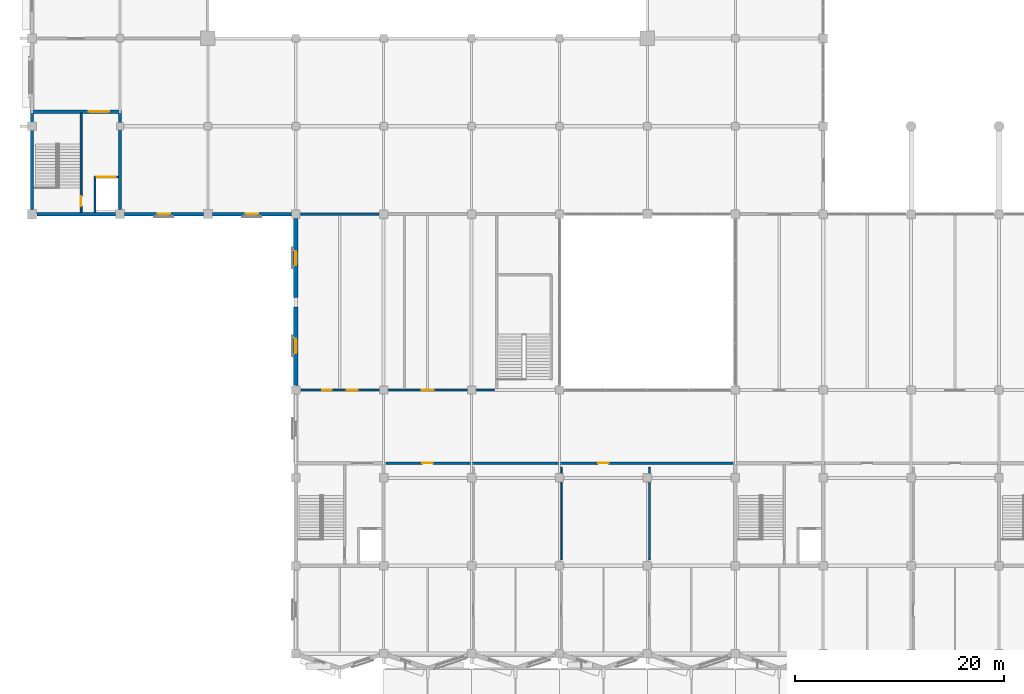
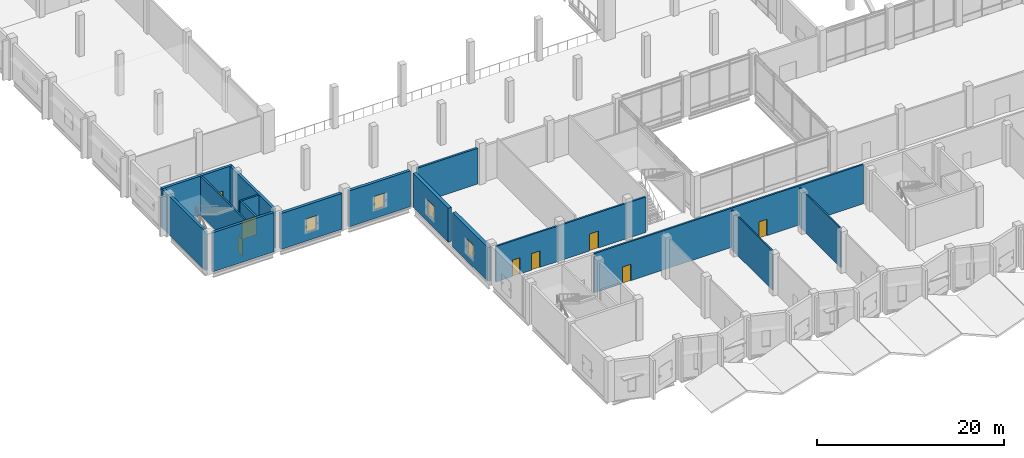
# One storey, part 48 of 72: 16 walls, 8 doors, 4 windows, 12 openings.
"""IFC4 building model written with IfcOpenShell, lengths in metres."""

import ifcopenshell
import ifcopenshell.guid

model = None  # the IFC model being written
_history = None  # IfcOwnerHistory: only IFC2X3 demands one
_inside = {}  # id of a spatial element -> (the spatial element, [elements in it])
_under = {}  # id of a project, library or spatial element -> (it, [spatial elements below it])
_declared = {}  # id of a project -> (the project, [libraries it declares])
_typed = {}  # id of a type object -> (the type object, [elements of that type])
_made_of = {}  # id of a material, layer set ... -> (it, [elements and type objects made of it])


def new_model(schema):
    """Start an empty IFC model of exactly this schema.

    Asked for "IFC4X3", IfcOpenShell would pick the latest addendum, in which some entities
    have other attributes; the version numbers below select the first issue.
    IFC2X3 requires an IfcOwnerHistory on every rooted entity: one is made here for all.
    """
    global model, _history
    if schema == "IFC4X3":
        model = ifcopenshell.file(schema_version=(4, 3, 0, 0))
    else:
        model = ifcopenshell.file(schema=schema)
    _inside.clear()
    _under.clear()
    _declared.clear()
    _typed.clear()
    _made_of.clear()
    _history = None
    if model.schema == "IFC2X3":
        org = make("IfcOrganization", Name="unknown")
        user = make(
            "IfcPersonAndOrganization",
            ThePerson=make("IfcPerson", FamilyName="unknown"),
            TheOrganization=org,
        )
        app = make(
            "IfcApplication",
            ApplicationDeveloper=org,
            Version="unknown",
            ApplicationFullName="unknown",
            ApplicationIdentifier="unknown",
        )
        _history = make(
            "IfcOwnerHistory",
            OwningUser=user,
            OwningApplication=app,
            ChangeAction="ADDED",
            CreationDate=0,
        )
    return model


def make(cls, **values):
    """One entity of the class cls with the attributes given. An attribute that is None is left unset."""
    return model.create_entity(
        cls, **{name: value for name, value in values.items() if value is not None}
    )


def rooted(cls, **values):
    """An entity with a GlobalId (a new one), such as an element, a storey or a relation."""
    return make(cls, GlobalId=ifcopenshell.guid.new(), OwnerHistory=_history, **values)


def si_unit(unit_type, name, prefix=None):
    """IfcSIUnit, for example si_unit("LENGTHUNIT", "METRE", prefix="MILLI")."""
    return make("IfcSIUnit", UnitType=unit_type, Prefix=prefix, Name=name)


def assignment(units):
    """IfcUnitAssignment: the units of a project."""
    return None if units is None else make("IfcUnitAssignment", Units=units)


def point(xyz):
    """IfcCartesianPoint."""
    return None if xyz is None else make("IfcCartesianPoint", Coordinates=xyz)


def direction(xyz):
    """IfcDirection."""
    return None if xyz is None else make("IfcDirection", DirectionRatios=xyz)


def frame(location, z_axis=None, x_axis=None):
    """IfcAxis2Placement3D, a coordinate frame: its origin and axes. An axis left out is left unset."""
    return make(
        "IfcAxis2Placement3D",
        Location=point(location),
        Axis=direction(z_axis),
        RefDirection=direction(x_axis),
    )


def frame_2d(location, x_axis=None):
    """IfcAxis2Placement2D, a coordinate frame in the plane: its origin and x axis."""
    return make(
        "IfcAxis2Placement2D", Location=point(location), RefDirection=direction(x_axis)
    )


def origin():
    """The frame at (0, 0, 0) with its axes left unset."""
    return frame((0.0, 0.0, 0.0))


def place(relative_to, where):
    """IfcLocalPlacement: puts the frame where relative to a parent placement (None: the world)."""
    return make(
        "IfcLocalPlacement", PlacementRelTo=relative_to, RelativePlacement=where
    )


def context(
    kind, dimensions, precision=None, world=None, true_north=None, identifier=None
):
    """IfcGeometricRepresentationContext, for example the 3D "Model" context."""
    return make(
        "IfcGeometricRepresentationContext",
        ContextIdentifier=identifier,
        ContextType=kind,
        CoordinateSpaceDimension=dimensions,
        Precision=precision,
        WorldCoordinateSystem=world,
        TrueNorth=true_north,
    )


def subcontext(parent, identifier, kind, view, scale=None):
    """IfcGeometricRepresentationSubContext, for example "Body" below "Model"."""
    return make(
        "IfcGeometricRepresentationSubContext",
        ContextIdentifier=identifier,
        ContextType=kind,
        ParentContext=parent,
        TargetScale=scale,
        TargetView=view,
    )


def project(units=None, contexts=None):
    """IfcProject with its units and contexts."""
    return rooted(
        "IfcProject",
        Name="project",
        RepresentationContexts=contexts,
        UnitsInContext=assignment(units),
    )


def spatial(cls, under=None, at=None, **own):
    """A site, building, storey or space (cls), placed at a placement, below another one or the project."""
    s = rooted(cls, ObjectPlacement=at, **own)
    if under is not None:
        _under.setdefault(under.id(), (under, []))[1].append(s)
    return s


def profile(cls, at=None, kind="AREA", **sizes):
    """A parametric profile (cls). Its sizes go by their IFC names, for example OverallWidth=200.0."""
    return make(cls, ProfileType=kind, Position=at, **sizes)


def rectangle(**sizes):
    """IfcRectangleProfileDef."""
    return profile("IfcRectangleProfileDef", **sizes)


def extrude(swept, where, along, depth):
    """IfcExtrudedAreaSolid: the profile swept, set in the frame where, extruded along a direction by depth."""
    return make(
        "IfcExtrudedAreaSolid",
        SweptArea=swept,
        Position=where,
        ExtrudedDirection=direction(along),
        Depth=depth,
    )


def shape(context_of_items, identifier, shape_type, items):
    """IfcShapeRepresentation: the items that make up one representation, for example the "Body"."""
    return make(
        "IfcShapeRepresentation",
        ContextOfItems=context_of_items,
        RepresentationIdentifier=identifier,
        RepresentationType=shape_type,
        Items=items,
    )


def material(Name=None, Category=None):
    """IfcMaterial."""
    return make("IfcMaterial", Name=Name, Category=Category)


def layer(
    of_material, thickness, ventilated=None, Name=None, Category=None, Priority=None
):
    """IfcMaterialLayer: one layer of a wall or slab, of a material (None: an air gap)."""
    return make(
        "IfcMaterialLayer",
        Material=of_material,
        LayerThickness=thickness,
        IsVentilated=ventilated,
        Name=Name,
        Category=Category,
        Priority=Priority,
    )


def layer_set(layers, Name=None):
    """IfcMaterialLayerSet."""
    return make("IfcMaterialLayerSet", MaterialLayers=layers, LayerSetName=Name)


def made_of(thing, what):
    """Note that an element or type object is made of a material, layer set ...; save() writes the relation."""
    if what is not None:
        _made_of.setdefault(what.id(), (what, []))[1].append(thing)
    return thing


def type_object(cls, material=None, **own):
    """A type object (cls), such as IfcWallType, which elements share."""
    return made_of(rooted(cls, **own), material)


def element(
    cls,
    number,
    at=None,
    inside=None,
    cuts=None,
    type_object=None,
    material=None,
    context=None,
    identifier="Body",
    shape_type=None,
    held_by="IfcProductDefinitionShape",
    body=None,
    shapes=None,
    **own,
):
    """One element of the class cls, such as IfcWall. Its Tag is "e" and its number.

    at: its placement. inside: the storey or other place that contains it. cuts: it is an
    opening in that element (IfcRelVoidsElement). A single representation is given by context,
    identifier, shape_type and body (its items); several are given by shapes. held_by: the class
    of the entity that holds the representations. save() writes the other relations.
    """
    e = rooted(cls, Tag="e%d" % number, ObjectPlacement=at, **own)
    if body is not None:
        shapes = [shape(context, identifier, shape_type, body)]
    if shapes is not None:
        e.Representation = make(held_by, Representations=shapes)
    if inside is not None:
        _inside.setdefault(inside.id(), (inside, []))[1].append(e)
    if cuts is not None:
        rooted(
            "IfcRelVoidsElement", RelatingBuildingElement=cuts, RelatedOpeningElement=e
        )
    if type_object is not None:
        _typed.setdefault(type_object.id(), (type_object, []))[1].append(e)
    return made_of(e, material)


def fill(opening, filler):
    """IfcRelFillsElement: the door or window that sits in an opening."""
    return rooted(
        "IfcRelFillsElement",
        RelatingOpeningElement=opening,
        RelatedBuildingElement=filler,
    )


def aggregate(whole, parts):
    """IfcRelAggregates: a whole, such as a stair, and the parts it consists of."""
    return rooted("IfcRelAggregates", RelatingObject=whole, RelatedObjects=parts)


def save(model, path):
    """Write the relations noted so far, then the file.

    IfcRelAggregates (storeys below a building ...), IfcRelContainedInSpatialStructure (elements
    in a storey), IfcRelDefinesByType, IfcRelAssociatesMaterial and IfcRelDeclares: one each for
    every whole, place, type object, material and project.
    """
    for whole, parts in _under.values():
        aggregate(whole, parts)
    for where, things in _inside.values():
        rooted(
            "IfcRelContainedInSpatialStructure",
            RelatedElements=things,
            RelatingStructure=where,
        )
    for kind, things in _typed.values():
        rooted("IfcRelDefinesByType", RelatedObjects=things, RelatingType=kind)
    for what, things in _made_of.values():
        rooted("IfcRelAssociatesMaterial", RelatedObjects=things, RelatingMaterial=what)
    for by, libraries in _declared.values():
        rooted("IfcRelDeclares", RelatingContext=by, RelatedDefinitions=libraries)
    model.write(path)


model = new_model("IFC4")

# Units and contexts
model_context = context("Model", 3, precision=1e-05, world=origin(), true_north=direction((0.0, 1.0)))
body_context = subcontext(model_context, "Body", "Model", "MODEL_VIEW")
ifc_project = project(units=[si_unit("LENGTHUNIT", "METRE"), si_unit("AREAUNIT", "SQUARE_METRE"), si_unit("VOLUMEUNIT", "CUBIC_METRE"), si_unit("PLANEANGLEUNIT", "RADIAN"), si_unit("MASSUNIT", "GRAM", prefix="KILO")], contexts=[model_context])

# Site, building, storey
site_placement = place(None, origin())
site = spatial("IfcSite", under=ifc_project, at=site_placement, CompositionType="ELEMENT")
building_placement = place(site_placement, origin())
building = spatial("IfcBuilding", under=site, at=building_placement, Name="Qawsi Khor Wholesale Market", CompositionType="ELEMENT")
storey_placement = place(building_placement, frame((0.0, 0.0, 6.0)))
storey = spatial("IfcBuildingStorey", under=building, at=storey_placement, Name="L01", CompositionType="ELEMENT", Elevation=6.0)

# Wall, openings, doors
ifc_material_1 = material(Name="Gypsum Fireboard on Steel Stud", Category="steel")
ifc_layer_1 = layer(ifc_material_1, 0.2099609375, Name="Gypsum Fireboard on Steel Stud")
ifc_layer_set_1 = layer_set([ifc_layer_1], Name="Gypsum Fireboard on Steel Stud")
wall_type_1 = type_object("IfcWallType", Name="Corridor Fire Partition Wall 210", PredefinedType="PARTITIONING", material=ifc_layer_set_1)
wall_1_placement = place(storey_placement, frame((33.800048828125, 18.199951171875, 0.0), z_axis=(0.0, 0.0, 1.0), x_axis=(1.0, 0.0, 0.0)))
wall_1 = element("IfcWall", 1, at=wall_1_placement, inside=storey, type_object=wall_type_1, Name="PW-L01-042", PredefinedType="PARTITIONING", context=body_context, shape_type="SweptSolid", body=[
    extrude(rectangle(XDim=33.199951171875, YDim=0.2099609375, at=frame_2d((16.60009765625, 0.0))), origin(), (0.0, 0.0, 1.0), 5.1201171875),
])
opening_1_placement = place(wall_1_placement, frame((3.5, 0.0, 0.0)))
opening_1 = element("IfcOpeningElement", 2, at=opening_1_placement, cuts=wall_1, Name="Opening ID-06", PredefinedType="OPENING", context=body_context, shape_type="SweptSolid", body=[
    extrude(rectangle(XDim=1.0, YDim=2.14990234375, at=frame_2d((0.5, 1.074951171875))), frame((0.0, 0.114990234375, 0.0), z_axis=(0.0, -1.0, 0.0), x_axis=(1.0, 0.0, 0.0)), (0.0, 0.0, 1.0), 0.22998046875),
])
opening_2_placement = place(wall_1_placement, frame((20.300048828125, 0.0, 0.0)))
opening_2 = element("IfcOpeningElement", 3, at=opening_2_placement, cuts=wall_1, Name="Opening ID-06", PredefinedType="OPENING", context=body_context, shape_type="SweptSolid", body=[
    extrude(rectangle(XDim=1.0, YDim=2.14990234375, at=frame_2d((0.5, 1.074951171875))), frame((0.0, 0.114990234375, 0.0), z_axis=(0.0, -1.0, 0.0), x_axis=(1.0, 0.0, 0.0)), (0.0, 0.0, 1.0), 0.22998046875),
])
ifc_material_2 = material(Name="Hardwood Timber Veneer", Category="wood")
door_type_1 = type_object("IfcDoorType", Name="Traders Office Single Door 1000x2150", OperationType="NOTDEFINED", PredefinedType="DOOR", material=ifc_material_2)
door_1_placement = place(opening_1_placement, origin())
door_1 = element("IfcDoor", 4, at=door_1_placement, inside=storey, type_object=door_type_1, Name="Traders Office Single Door 1000x2150 L01-048", OperationType="SINGLE_SWING_LEFT", OverallHeight=2.14990234375, OverallWidth=1.0, PredefinedType="DOOR", context=body_context, shape_type="SweptSolid", body=[
    extrude(rectangle(XDim=1.0, YDim=2.14990234375, at=frame_2d((0.5, 1.074951171875))), frame((0.0, 0.02490234375, 0.0), z_axis=(0.0, -1.0, 0.0), x_axis=(1.0, 0.0, 0.0)), (0.0, 0.0, 1.0), 0.050048828125),
])
fill(opening_1, door_1)
door_2_placement = place(opening_2_placement, origin())
door_2 = element("IfcDoor", 5, at=door_2_placement, inside=storey, type_object=door_type_1, Name="Traders Office Single Door 1000x2150 L01-049", OperationType="SINGLE_SWING_RIGHT", OverallHeight=2.14990234375, OverallWidth=1.0, PredefinedType="DOOR", context=body_context, shape_type="SweptSolid", body=[
    extrude(rectangle(XDim=1.0, YDim=2.14990234375, at=frame_2d((0.5, 1.074951171875))), frame((0.0, 0.02490234375, 0.0), z_axis=(0.0, -1.0, 0.0), x_axis=(1.0, 0.0, 0.0)), (0.0, 0.0, 1.0), 0.050048828125),
])
fill(opening_2, door_2)

wall_2_placement = place(storey_placement, frame((25.699951171875, 25.199951171875, 0.0), z_axis=(0.0, 0.0, 1.0), x_axis=(1.0, 0.0, 0.0)))
wall_2 = element("IfcWall", 6, at=wall_2_placement, inside=storey, type_object=wall_type_1, Name="PW-L01-065", PredefinedType="PARTITIONING", context=body_context, shape_type="SweptSolid", body=[
    extrude(rectangle(XDim=18.5, YDim=0.2099609375, at=frame_2d((9.25, 0.0))), origin(), (0.0, 0.0, 1.0), 4.6298828125),
])
opening_3_placement = place(wall_2_placement, frame((2.0400390625, 0.0, 0.0)))
opening_3 = element("IfcOpeningElement", 7, at=opening_3_placement, cuts=wall_2, Name="Opening ID-11", PredefinedType="OPENING", context=body_context, shape_type="SweptSolid", body=[
    extrude(rectangle(XDim=0.919921875, YDim=2.139892578125, at=frame_2d((0.4599609375, 1.06982421875))), frame((0.0, 0.114990234375, 0.0), z_axis=(0.0, -1.0, 0.0), x_axis=(1.0, 0.0, 0.0)), (0.0, 0.0, 1.0), 0.22998046875),
])
opening_4_placement = place(wall_2_placement, frame((4.385009765625, 0.0, 0.0)))
opening_4 = element("IfcOpeningElement", 8, at=opening_4_placement, cuts=wall_2, Name="Opening ID-12", PredefinedType="OPENING", context=body_context, shape_type="SweptSolid", body=[
    extrude(rectangle(XDim=1.030029296875, YDim=2.14990234375, at=frame_2d((0.51513671875, 1.074951171875))), frame((0.0, 0.114990234375, 0.0), z_axis=(0.0, -1.0, 0.0), x_axis=(1.0, 0.0, 0.0)), (0.0, 0.0, 1.0), 0.22998046875),
])
opening_5_placement = place(wall_2_placement, frame((11.530029296875, 0.0, 0.0)))
opening_5 = element("IfcOpeningElement", 9, at=opening_5_placement, cuts=wall_2, Name="Opening ID-14", PredefinedType="OPENING", context=body_context, shape_type="SweptSolid", body=[
    extrude(rectangle(XDim=1.139892578125, YDim=2.219970703125, at=frame_2d((0.56982421875, 1.10986328125))), frame((0.0, 0.114990234375, 0.0), z_axis=(0.0, -1.0, 0.0), x_axis=(1.0, 0.0, 0.0)), (0.0, 0.0, 1.0), 0.22998046875),
])
ifc_material_3 = material(Name="High-Pressure Laminate", Category="steel")
door_type_2 = type_object("IfcDoorType", Name="Accessible WC Door 1030x2150", OperationType="NOTDEFINED", PredefinedType="DOOR", material=ifc_material_3)
door_3_placement = place(opening_4_placement, origin())
door_3 = element("IfcDoor", 10, at=door_3_placement, inside=storey, type_object=door_type_2, Name="Accessible WC Door 1030x2150 L01-068", OperationType="SINGLE_SWING_RIGHT", OverallHeight=2.14990234375, OverallWidth=1.030029296875, PredefinedType="DOOR", context=body_context, shape_type="SweptSolid", body=[
    extrude(rectangle(XDim=1.030029296875, YDim=2.14990234375, at=frame_2d((0.51513671875, 1.074951171875))), frame((0.0, 0.02490234375, 0.0), z_axis=(0.0, -1.0, 0.0), x_axis=(1.0, 0.0, 0.0)), (0.0, 0.0, 1.0), 0.050048828125),
])
fill(opening_4, door_3)
ifc_material_4 = material(Name="Carved Oak Timber", Category="wood")
door_type_3 = type_object("IfcDoorType", Name="Prayer & Majlis Timber Door 1140x2220", OperationType="NOTDEFINED", PredefinedType="DOOR", material=ifc_material_4)
door_4_placement = place(opening_5_placement, origin())
door_4 = element("IfcDoor", 11, at=door_4_placement, inside=storey, type_object=door_type_3, Name="Prayer & Majlis Timber Door 1140x2220 L01-069", OperationType="SINGLE_SWING_LEFT", OverallHeight=2.219970703125, OverallWidth=1.139892578125, PredefinedType="DOOR", context=body_context, shape_type="SweptSolid", body=[
    extrude(rectangle(XDim=1.139892578125, YDim=2.219970703125, at=frame_2d((0.56982421875, 1.10986328125))), frame((0.0, 0.02490234375, 0.0), z_axis=(0.0, -1.0, 0.0), x_axis=(1.0, 0.0, 0.0)), (0.0, 0.0, 1.0), 0.050048828125),
])
fill(opening_5, door_4)
door_type_4 = type_object("IfcDoorType", Name="Public Toilet Entrance Door 920x2140", OperationType="NOTDEFINED", PredefinedType="DOOR", material=ifc_material_3)
door_5_placement = place(opening_3_placement, origin())
door_5 = element("IfcDoor", 12, at=door_5_placement, inside=storey, type_object=door_type_4, Name="Public Toilet Entrance Door 920x2140 L01-067", OperationType="SINGLE_SWING_LEFT", OverallHeight=2.139892578125, OverallWidth=0.919921875, PredefinedType="DOOR", context=body_context, shape_type="SweptSolid", body=[
    extrude(rectangle(XDim=0.919921875, YDim=2.139892578125, at=frame_2d((0.4599609375, 1.06982421875))), frame((0.0, 0.02490234375, 0.0), z_axis=(0.0, -1.0, 0.0), x_axis=(1.0, 0.0, 0.0)), (0.0, 0.0, 1.0), 0.050048828125),
])
fill(opening_3, door_5)

# Walls
ifc_material_5 = material(Name="Concrete Blockwork & Plaster", Category="masonry")
ifc_layer_2 = layer(ifc_material_5, 0.25, Name="Concrete Blockwork & Plaster")
ifc_layer_set_2 = layer_set([ifc_layer_2], Name="Concrete Blockwork & Plaster")
wall_type_2 = type_object("IfcWallType", Name="Fire Compartment Masonry Wall 250", PredefinedType="SOLIDWALL", material=ifc_layer_set_2)
wall_3_placement = place(storey_placement, frame((25.64990234375, 42.0, 0.0), z_axis=(0.0, 0.0, 1.0), x_axis=(1.0, 0.0, 0.0)))
element("IfcWall", 13, at=wall_3_placement, inside=storey, type_object=wall_type_2, Name="Grid F fire compartment wall L01-03", PredefinedType="SOLIDWALL", context=body_context, shape_type="SweptSolid", body=[
    extrude(rectangle(XDim=7.5, YDim=0.25, at=frame_2d((3.75, 0.0))), origin(), (0.0, 0.0, 1.0), 4.669921875),
])
ifc_material_6 = material(Name="Concrete C40/50", Category="concrete")
ifc_layer_3 = layer(ifc_material_6, 0.320068359375, Name="Concrete C40/50")
ifc_layer_set_3 = layer_set([ifc_layer_3], Name="Concrete C40/50")
wall_type_3 = type_object("IfcWallType", Name="Hall Lateral Shear Wall RC 320 C40/50", PredefinedType="SHEAR", material=ifc_layer_set_3)
wall_4_placement = place(storey_placement, frame((7.969970703125, 42.0, 0.0), z_axis=(0.0, 0.0, 1.0), x_axis=(-1.0, 0.0, 0.0)))
element("IfcWall", 14, at=wall_4_placement, inside=storey, type_object=wall_type_3, Name="Core C07 south shear wall L01", PredefinedType="SHEAR", context=body_context, shape_type="SweptSolid", body=[
    extrude(rectangle(XDim=7.514892578125, YDim=0.320068359375, at=frame_2d((3.75732421875, 0.0))), origin(), (0.0, 0.0, 1.0), 5.1201171875),
])
wall_5_placement = place(storey_placement, frame((0.0, 42.455078125, 0.0), z_axis=(0.0, 0.0, 1.0), x_axis=(0.0, 1.0, 0.0)))
element("IfcWall", 15, at=wall_5_placement, inside=storey, type_object=wall_type_3, Name="Core C07 west shear wall L01", PredefinedType="SHEAR", context=body_context, shape_type="SweptSolid", body=[
    extrude(rectangle(XDim=9.184814453125, YDim=0.320068359375, at=frame_2d((4.59228515625, 0.0))), origin(), (0.0, 0.0, 1.0), 5.1201171875),
])

# Wall, opening, door
wall_6_placement = place(storey_placement, frame((-0.159912109375, 51.800048828125, 0.0), z_axis=(0.0, 0.0, 1.0), x_axis=(1.0, 0.0, 0.0)))
wall_6 = element("IfcWall", 16, at=wall_6_placement, inside=storey, type_object=wall_type_3, Name="Core C07 north shear wall L01", PredefinedType="SHEAR", context=body_context, shape_type="SweptSolid", body=[
    extrude(rectangle(XDim=8.719970703125, YDim=0.320068359375, at=frame_2d((4.35986328125, 0.0))), origin(), (0.0, 0.0, 1.0), 5.1201171875),
])
opening_6_placement = place(wall_6_placement, frame((5.580078125, 0.0, 0.0)))
opening_6 = element("IfcOpeningElement", 17, at=opening_6_placement, cuts=wall_6, Name="Opening ID-01", PredefinedType="OPENING", context=body_context, shape_type="SweptSolid", body=[
    extrude(rectangle(XDim=1.9599609375, YDim=2.199951171875, at=frame_2d((0.97998046875, 1.10009765625))), frame((0.0, 0.169921875, 0.0), z_axis=(0.0, -1.0, 0.0), x_axis=(1.0, 0.0, 0.0)), (0.0, 0.0, 1.0), 0.340087890625),
])
ifc_material_7 = material(Name="Steel Fire Door", Category="steel")
door_type_5 = type_object("IfcDoorType", Name="Stair & Core Fire Door 1960x2200 FD90S", OperationType="NOTDEFINED", PredefinedType="DOOR", material=ifc_material_7)
door_6_placement = place(opening_6_placement, origin())
door_6 = element("IfcDoor", 18, at=door_6_placement, inside=storey, type_object=door_type_5, Name="Core C07 fire door L01", OperationType="DOUBLE_DOOR_SINGLE_SWING", OverallHeight=2.199951171875, OverallWidth=1.9599609375, PredefinedType="DOOR", context=body_context, shape_type="SweptSolid", body=[
    extrude(rectangle(XDim=1.9599609375, YDim=2.199951171875, at=frame_2d((0.97998046875, 1.10009765625))), frame((0.0, 0.02490234375, 0.0), z_axis=(0.0, -1.0, 0.0), x_axis=(1.0, 0.0, 0.0)), (0.0, 0.0, 1.0), 0.050048828125),
])
fill(opening_6, door_6)

# Walls
wall_7_placement = place(storey_placement, frame((8.39990234375, 51.639892578125, 0.0), z_axis=(0.0, 0.0, 1.0), x_axis=(0.0, -1.0, 0.0)))
element("IfcWall", 19, at=wall_7_placement, inside=storey, type_object=wall_type_3, Name="Core C07 east shear wall L01", PredefinedType="SHEAR", context=body_context, shape_type="SweptSolid", body=[
    extrude(rectangle(XDim=9.2099609375, YDim=0.320068359375, at=frame_2d((4.60498046875, 0.0))), origin(), (0.0, 0.0, 1.0), 5.1201171875),
])
ifc_layer_4 = layer(ifc_material_6, 0.219970703125, Name="Concrete C40/50")
ifc_layer_set_4 = layer_set([ifc_layer_4], Name="Concrete C40/50")
wall_type_4 = type_object("IfcWallType", Name="Lift & Stair Shaft Wall RC 220", PredefinedType="SOLIDWALL", material=ifc_layer_set_4)
wall_8_placement = place(storey_placement, frame((6.010009765625, 42.159912109375, 0.0), z_axis=(0.0, 0.0, 1.0), x_axis=(0.0, 1.0, 0.0)))
element("IfcWall", 20, at=wall_8_placement, inside=storey, type_object=wall_type_4, Name="Lift GL-01 shaft wall W L01", PredefinedType="SOLIDWALL", context=body_context, shape_type="SweptSolid", body=[
    extrude(rectangle(XDim=3.39013671875, YDim=0.219970703125, at=frame_2d((1.695068359375, 0.0))), origin(), (0.0, 0.0, 1.0), 5.1201171875),
])

# Wall, opening, door
wall_9_placement = place(storey_placement, frame((5.89990234375, 45.550048828125, 0.0), z_axis=(0.0, 0.0, 1.0), x_axis=(1.0, 0.0, 0.0)))
wall_9 = element("IfcWall", 21, at=wall_9_placement, inside=storey, type_object=wall_type_4, Name="Lift GL-01 shaft wall N L01", PredefinedType="SOLIDWALL", context=body_context, shape_type="SweptSolid", body=[
    extrude(rectangle(XDim=2.340087890625, YDim=0.219970703125, at=frame_2d((1.169921875, 0.0))), origin(), (0.0, 0.0, 1.0), 5.1201171875),
])
opening_7_placement = place(wall_9_placement, frame((0.260009765625, 0.0, 0.0)))
opening_7 = element("IfcOpeningElement", 22, at=opening_7_placement, cuts=wall_9, Name="Opening LD-G180", PredefinedType="OPENING", context=body_context, shape_type="SweptSolid", body=[
    extrude(rectangle(XDim=1.820068359375, YDim=2.39990234375, at=frame_2d((0.91015625, 1.199951171875))), frame((0.0, 0.119873046875, 0.0), z_axis=(0.0, -1.0, 0.0), x_axis=(1.0, 0.0, 0.0)), (0.0, 0.0, 1.0), 0.239990234375),
])
ifc_material_8 = material(Name="Heavy-Duty Stainless Steel", Category="steel")
door_type_6 = type_object("IfcDoorType", Name="Goods Lift Landing Sliding Door 1820x2400 FD90S", OperationType="NOTDEFINED", PredefinedType="DOOR", material=ifc_material_8)
door_7_placement = place(opening_7_placement, origin())
door_7 = element("IfcDoor", 23, at=door_7_placement, inside=storey, type_object=door_type_6, Name="Lift GL-01 landing door L01", OperationType="SLIDING_TO_RIGHT", OverallHeight=2.39990234375, OverallWidth=1.820068359375, PredefinedType="DOOR", context=body_context, shape_type="SweptSolid", body=[
    extrude(rectangle(XDim=1.820068359375, YDim=2.39990234375, at=frame_2d((0.91015625, 1.199951171875))), frame((0.0, 0.02490234375, 0.0), z_axis=(0.0, -1.0, 0.0), x_axis=(1.0, 0.0, 0.0)), (0.0, 0.0, 1.0), 0.050048828125),
])
fill(opening_7, door_7)

# Walls
ifc_material_9 = material(Name="Gypsum Board on Metal Stud", Category="gypsum")
ifc_layer_5 = layer(ifc_material_9, 0.14990234375, Name="Gypsum Board on Metal Stud")
ifc_layer_set_5 = layer_set([ifc_layer_5], Name="Gypsum Board on Metal Stud")
wall_type_5 = type_object("IfcWallType", Name="Office Partition Wall 150", PredefinedType="PARTITIONING", material=ifc_layer_set_5)
for number, where, z_axis, x_axis, name in (
    (24, (50.60009765625, 9.0, 0.0), (0.0, 0.0, 1.0), (0.0, 1.0, 0.0), "PW-L01-046"),
    (25, (59.0, 9.0, 0.0), (0.0, 0.0, 1.0), (0.0, 1.0, 0.0), "PW-L01-048"),
):
    element("IfcWall", number, at=place(storey_placement, frame(where, z_axis=z_axis, x_axis=x_axis)), inside=storey, type_object=wall_type_5, Name=name, PredefinedType="PARTITIONING", context=body_context, shape_type="SweptSolid", body=[
        extrude(rectangle(XDim=8.800048828125, YDim=0.14990234375, at=frame_2d((4.39990234375, 0.0))), origin(), (0.0, 0.0, 1.0), 5.1201171875),
    ])

# Wall, opening, window
ifc_layer_6 = layer(ifc_material_6, 0.429931640625, Name="Concrete C40/50")
ifc_layer_set_6 = layer_set([ifc_layer_6], Name="Concrete C40/50")
wall_type_6 = type_object("IfcWallType", Name="Sculpted Ribbed Concrete Facade Wall 430", PredefinedType="SOLIDWALL", material=ifc_layer_set_6)
wall_10_placement = place(storey_placement, frame((25.199951171875, 25.60498046875, 0.0), z_axis=(0.0, 0.0, 1.0), x_axis=(0.0, 1.0, 0.0)))
wall_10 = element("IfcWall", 26, at=wall_10_placement, inside=storey, type_object=wall_type_6, Name="EW-L01-SWW-3", PredefinedType="SOLIDWALL", context=body_context, shape_type="SweptSolid", body=[
    extrude(rectangle(XDim=7.544921875, YDim=0.429931640625, at=frame_2d((3.7724609375, 0.0))), origin(), (0.0, 0.0, 1.0), 4.429931640625),
])
opening_8_placement = place(wall_10_placement, frame((3.1201171875, 0.0, 0.949951171875)))
opening_8 = element("IfcOpeningElement", 27, at=opening_8_placement, cuts=wall_10, Name="Opening W-08", PredefinedType="OPENING", context=body_context, shape_type="SweptSolid", body=[
    extrude(rectangle(XDim=1.35009765625, YDim=1.949951171875, at=frame_2d((0.675048828125, 0.97509765625))), frame((0.0, 0.224853515625, 0.0), z_axis=(0.0, -1.0, 0.0), x_axis=(1.0, 0.0, 0.0)), (0.0, 0.0, 1.0), 0.449951171875),
])
ifc_material_10 = material(Name="Thermally Broken Aluminium & Low-E Glass", Category="aluminium")
window_type_1 = type_object("IfcWindowType", Name="Win W-08 Prayer & Majlis Screened 1350x1950", PartitioningType="SINGLE_PANEL", PredefinedType="WINDOW", material=ifc_material_10)
window_1_placement = place(opening_8_placement, origin())
window_1 = element("IfcWindow", 28, at=window_1_placement, inside=storey, type_object=window_type_1, Name="Win W-08 Prayer & Majlis Screened 1350x1950 113", OverallHeight=1.949951171875, OverallWidth=1.35009765625, PartitioningType="SINGLE_PANEL", PredefinedType="WINDOW", context=body_context, shape_type="SweptSolid", body=[
    extrude(rectangle(XDim=1.35009765625, YDim=1.949951171875, at=frame_2d((0.675048828125, 0.97509765625))), frame((0.0, 0.030029296875, 0.0), z_axis=(0.0, -1.0, 0.0), x_axis=(1.0, 0.0, 0.0)), (0.0, 0.0, 1.0), 0.06005859375),
])
fill(opening_8, window_1)

wall_11_placement = place(storey_placement, frame((25.199951171875, 34.050048828125, 0.0), z_axis=(0.0, 0.0, 1.0), x_axis=(0.0, 1.0, 0.0)))
wall_11 = element("IfcWall", 29, at=wall_11_placement, inside=storey, type_object=wall_type_6, Name="EW-L01-SWW-4", PredefinedType="SOLIDWALL", context=body_context, shape_type="SweptSolid", body=[
    extrude(rectangle(XDim=7.544921875, YDim=0.429931640625, at=frame_2d((3.7724609375, 0.0))), origin(), (0.0, 0.0, 1.0), 4.429931640625),
])
opening_9_placement = place(wall_11_placement, frame((3.074951171875, 0.0, 0.949951171875)))
opening_9 = element("IfcOpeningElement", 30, at=opening_9_placement, cuts=wall_11, Name="Opening W-08", PredefinedType="OPENING", context=body_context, shape_type="SweptSolid", body=[
    extrude(rectangle(XDim=1.35009765625, YDim=1.949951171875, at=frame_2d((0.675048828125, 0.97509765625))), frame((0.0, 0.224853515625, 0.0), z_axis=(0.0, -1.0, 0.0), x_axis=(1.0, 0.0, 0.0)), (0.0, 0.0, 1.0), 0.449951171875),
])
window_2_placement = place(opening_9_placement, origin())
window_2 = element("IfcWindow", 31, at=window_2_placement, inside=storey, type_object=window_type_1, Name="Win W-08 Prayer & Majlis Screened 1350x1950 114", OverallHeight=1.949951171875, OverallWidth=1.35009765625, PartitioningType="SINGLE_PANEL", PredefinedType="WINDOW", context=body_context, shape_type="SweptSolid", body=[
    extrude(rectangle(XDim=1.35009765625, YDim=1.949951171875, at=frame_2d((0.675048828125, 0.97509765625))), frame((0.0, 0.030029296875, 0.0), z_axis=(0.0, -1.0, 0.0), x_axis=(1.0, 0.0, 0.0)), (0.0, 0.0, 1.0), 0.06005859375),
])
fill(opening_9, window_2)

# Wall, opening, door
ifc_layer_7 = layer(ifc_material_6, 0.18994140625, Name="Concrete C40/50")
ifc_layer_set_7 = layer_set([ifc_layer_7], Name="Concrete C40/50")
wall_type_7 = type_object("IfcWallType", Name="Stairwell Enclosure Wall RC 190", PredefinedType="SOLIDWALL", material=ifc_layer_set_7)
wall_12_placement = place(storey_placement, frame((4.679931640625, 42.159912109375, 0.0), z_axis=(0.0, 0.0, 1.0), x_axis=(0.0, 1.0, 0.0)))
wall_12 = element("IfcWall", 32, at=wall_12_placement, inside=storey, type_object=wall_type_7, Name="Core C07 stairwell enclosure wall L01", PredefinedType="SOLIDWALL", context=body_context, shape_type="SweptSolid", body=[
    extrude(rectangle(XDim=9.47998046875, YDim=0.18994140625, at=frame_2d((4.739990234375, 0.0))), origin(), (0.0, 0.0, 1.0), 5.1201171875),
])
opening_10_placement = place(wall_12_placement, frame((0.580078125, 0.0, 0.0)))
opening_10 = element("IfcOpeningElement", 33, at=opening_10_placement, cuts=wall_12, Name="Opening ID-17", PredefinedType="OPENING", context=body_context, shape_type="SweptSolid", body=[
    extrude(rectangle(XDim=0.97998046875, YDim=2.14990234375, at=frame_2d((0.489990234375, 1.074951171875))), frame((0.0, 0.10498046875, 0.0), z_axis=(0.0, -1.0, 0.0), x_axis=(1.0, 0.0, 0.0)), (0.0, 0.0, 1.0), 0.2099609375),
])
door_type_7 = type_object("IfcDoorType", Name="Core Stair Lobby Fire Door 980x2150 FD120S", OperationType="NOTDEFINED", PredefinedType="DOOR", material=ifc_material_7)
door_8_placement = place(opening_10_placement, origin())
door_8 = element("IfcDoor", 34, at=door_8_placement, inside=storey, type_object=door_type_7, Name="Core C07 stair enclosure fire door L01", OperationType="SINGLE_SWING_LEFT", OverallHeight=2.14990234375, OverallWidth=0.97998046875, PredefinedType="DOOR", context=body_context, shape_type="SweptSolid", body=[
    extrude(rectangle(XDim=0.97998046875, YDim=2.14990234375, at=frame_2d((0.489990234375, 1.074951171875))), frame((0.0, 0.02490234375, 0.0), z_axis=(0.0, -1.0, 0.0), x_axis=(1.0, 0.0, 0.0)), (0.0, 0.0, 1.0), 0.050048828125),
])
fill(opening_10, door_8)

# Wall, opening, window
ifc_layer_8 = layer(ifc_material_6, 0.35009765625, Name="Concrete C40/50")
ifc_layer_set_8 = layer_set([ifc_layer_8], Name="Concrete C40/50")
wall_type_8 = type_object("IfcWallType", Name="Trading Hall Precast Concrete Wall 350", PredefinedType="SOLIDWALL", material=ifc_layer_set_8)
wall_13_placement = place(storey_placement, frame((16.3701171875, 42.0, 0.0), z_axis=(0.0, 0.0, 1.0), x_axis=(-1.0, 0.0, 0.0)))
wall_13 = element("IfcWall", 35, at=wall_13_placement, inside=storey, type_object=wall_type_8, Name="EW-L01-WHS-01", PredefinedType="SOLIDWALL", context=body_context, shape_type="SweptSolid", body=[
    extrude(rectangle(XDim=7.5400390625, YDim=0.35009765625, at=frame_2d((3.77001953125, 0.0))), origin(), (0.0, 0.0, 1.0), 4.679931640625),
])
opening_11_placement = place(wall_13_placement, frame((3.169921875, 0.0, 1.10009765625)))
opening_11 = element("IfcOpeningElement", 36, at=opening_11_placement, cuts=wall_13, Name="Opening W-01", PredefinedType="OPENING", context=body_context, shape_type="SweptSolid", body=[
    extrude(rectangle(XDim=1.199951171875, YDim=1.800048828125, at=frame_2d((0.60009765625, 0.89990234375))), frame((0.0, 0.18505859375, 0.0), z_axis=(0.0, -1.0, 0.0), x_axis=(1.0, 0.0, 0.0)), (0.0, 0.0, 1.0), 0.3701171875),
])
window_type_2 = type_object("IfcWindowType", Name="Win W-01 Deep-Set Punched 1200x1800", PartitioningType="SINGLE_PANEL", PredefinedType="WINDOW", material=ifc_material_10)
window_3_placement = place(opening_11_placement, origin())
window_3 = element("IfcWindow", 37, at=window_3_placement, inside=storey, type_object=window_type_2, Name="Win W-01 Deep-Set Punched 1200x1800 154", OverallHeight=1.800048828125, OverallWidth=1.199951171875, PartitioningType="SINGLE_PANEL", PredefinedType="WINDOW", context=body_context, shape_type="SweptSolid", body=[
    extrude(rectangle(XDim=1.199951171875, YDim=1.800048828125, at=frame_2d((0.60009765625, 0.89990234375))), frame((0.0, 0.030029296875, 0.0), z_axis=(0.0, -1.0, 0.0), x_axis=(1.0, 0.0, 0.0)), (0.0, 0.0, 1.0), 0.06005859375),
])
fill(opening_11, window_3)

wall_14_placement = place(storey_placement, frame((24.794921875, 42.0, 0.0), z_axis=(0.0, 0.0, 1.0), x_axis=(-1.0, 0.0, 0.0)))
wall_14 = element("IfcWall", 38, at=wall_14_placement, inside=storey, type_object=wall_type_8, Name="EW-L01-WHS-02", PredefinedType="SOLIDWALL", context=body_context, shape_type="SweptSolid", body=[
    extrude(rectangle(XDim=7.56494140625, YDim=0.35009765625, at=frame_2d((3.782470703125, 0.0))), origin(), (0.0, 0.0, 1.0), 4.679931640625),
])
opening_12_placement = place(wall_14_placement, frame((3.195068359375, 0.0, 1.10009765625)))
opening_12 = element("IfcOpeningElement", 39, at=opening_12_placement, cuts=wall_14, Name="Opening W-01", PredefinedType="OPENING", context=body_context, shape_type="SweptSolid", body=[
    extrude(rectangle(XDim=1.199951171875, YDim=1.800048828125, at=frame_2d((0.60009765625, 0.89990234375))), frame((0.0, 0.18505859375, 0.0), z_axis=(0.0, -1.0, 0.0), x_axis=(1.0, 0.0, 0.0)), (0.0, 0.0, 1.0), 0.3701171875),
])
window_4_placement = place(opening_12_placement, origin())
window_4 = element("IfcWindow", 40, at=window_4_placement, inside=storey, type_object=window_type_2, Name="Win W-01 Deep-Set Punched 1200x1800 155", OverallHeight=1.800048828125, OverallWidth=1.199951171875, PartitioningType="SINGLE_PANEL", PredefinedType="WINDOW", context=body_context, shape_type="SweptSolid", body=[
    extrude(rectangle(XDim=1.199951171875, YDim=1.800048828125, at=frame_2d((0.60009765625, 0.89990234375))), frame((0.0, 0.030029296875, 0.0), z_axis=(0.0, -1.0, 0.0), x_axis=(1.0, 0.0, 0.0)), (0.0, 0.0, 1.0), 0.06005859375),
])
fill(opening_12, window_4)

save(model, "model.ifc")
